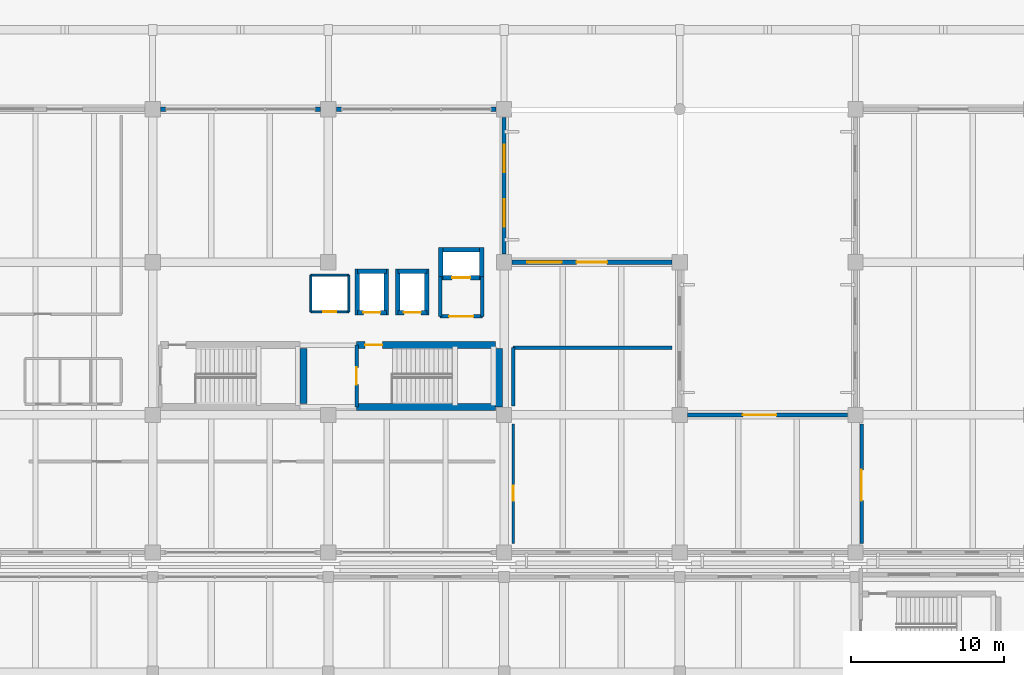
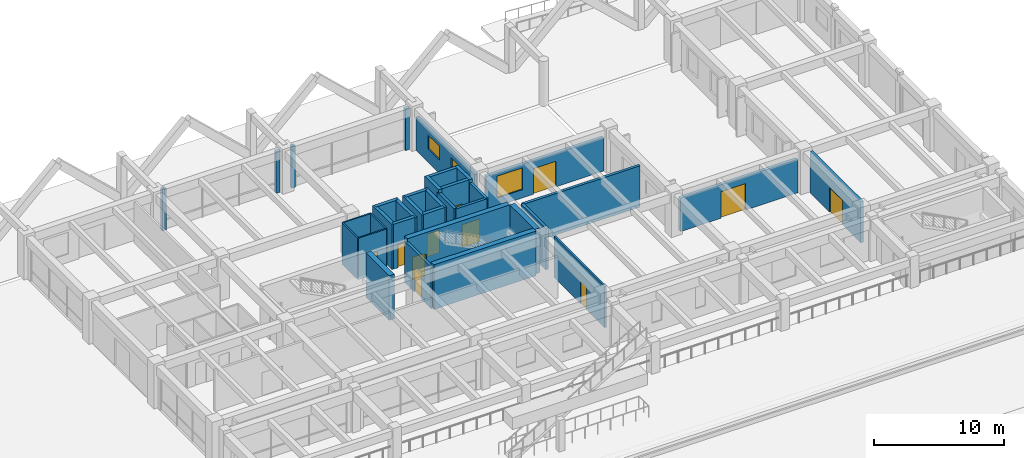
# One storey, part 91 of 109: 35 walls, 11 doors, 3 windows, 14 openings.
"""IFC4 building model written with IfcOpenShell, lengths in metres."""

from ifc_helpers import new_model, si_unit, direction, frame, frame_2d, origin, place, context, subcontext, project, spatial, rectangle, extrude, material, layer, layer_set, type_object, element, fill, save


model = new_model("IFC4")

# Units and contexts
model_context = context("Model", 3, precision=1e-05, world=origin(), true_north=direction((0.0, 1.0)))
body_context = subcontext(model_context, "Body", "Model", "MODEL_VIEW")
ifc_project = project(units=[si_unit("LENGTHUNIT", "METRE"), si_unit("AREAUNIT", "SQUARE_METRE"), si_unit("VOLUMEUNIT", "CUBIC_METRE"), si_unit("PLANEANGLEUNIT", "RADIAN"), si_unit("MASSUNIT", "GRAM", prefix="KILO")], contexts=[model_context])

# Site, building, storey
site_placement = place(None, origin())
site = spatial("IfcSite", under=ifc_project, at=site_placement, CompositionType="ELEMENT")
building_placement = place(site_placement, origin())
building = spatial("IfcBuilding", under=site, at=building_placement, Name="Ologun Quay Terminus", CompositionType="ELEMENT")
storey_placement = place(building_placement, origin())
storey = spatial("IfcBuildingStorey", under=building, at=storey_placement, Name="L00", CompositionType="ELEMENT", Elevation=0.0)

# Walls
ifc_material_1 = material(Name="Concrete C45/55", Category="concrete")
ifc_layer_1 = layer(ifc_material_1, 0.449951171875)
ifc_layer_set_1 = layer_set([ifc_layer_1], Name="Concrete C45/55")
wall_type_1 = type_object("IfcWallType", Name="Coupled Wing Primary Core Shear Wall 450", PredefinedType="SHEAR", material=ifc_layer_set_1)
wall_1_placement = place(storey_placement, frame((136.375, 95.550048828125, 0.0), z_axis=(0.0, 0.0, 1.0), x_axis=(0.0, 1.0, 0.0)))
element("IfcWall", 1, at=wall_1_placement, inside=storey, type_object=wall_type_1, Name="EC1 Core East Shear Wall L00", PredefinedType="SHEAR", context=body_context, shape_type="SweptSolid", body=[
    extrude(rectangle(XDim=3.599853515625, YDim=0.449951171875, at=frame_2d((1.7998046875, 0.0))), origin(), (0.0, 0.0, 1.0), 4.199951171875),
])
wall_2_placement = place(storey_placement, frame((139.85009765625, 95.324951171875, 0.0), z_axis=(0.0, 0.0, 1.0), x_axis=(1.0, 0.0, 0.0)))
element("IfcWall", 2, at=wall_2_placement, inside=storey, type_object=wall_type_1, Name="EC2 Core South Shear Wall L00", PredefinedType="SHEAR", context=body_context, shape_type="SweptSolid", body=[
    extrude(rectangle(XDim=9.099853515625, YDim=0.449951171875, at=frame_2d((4.5498046875, 0.0))), origin(), (0.0, 0.0, 1.0), 4.199951171875),
])

# Wall, opening, door
wall_3_placement = place(storey_placement, frame((139.85009765625, 99.375, 0.0), z_axis=(0.0, 0.0, 1.0), x_axis=(1.0, 0.0, 0.0)))
wall_3 = element("IfcWall", 3, at=wall_3_placement, inside=storey, type_object=wall_type_1, Name="EC2 Core North Shear Wall L00", PredefinedType="SHEAR", context=body_context, shape_type="SweptSolid", body=[
    extrude(rectangle(XDim=9.099853515625, YDim=0.449951171875, at=frame_2d((4.5498046875, 0.0))), origin(), (0.0, 0.0, 1.0), 4.199951171875),
])
opening_1_placement = place(wall_3_placement, frame((0.550048828125, 0.0, 0.0)))
opening_1 = element("IfcOpeningElement", 4, at=opening_1_placement, cuts=wall_3, Name="Opening ID-168", PredefinedType="OPENING", context=body_context, shape_type="SweptSolid", body=[
    extrude(rectangle(XDim=1.1298828125, YDim=2.14990234375, at=frame_2d((0.56494140625, 1.074951171875))), frame((0.0, 0.23486328125, 0.0), z_axis=(0.0, -1.0, 0.0), x_axis=(1.0, 0.0, 0.0)), (0.0, 0.0, 1.0), 0.469970703125),
])
ifc_material_2 = material(Name="Steel S355", Category="steel")
door_type_1 = type_object("IfcDoorType", Name="Stairwell Fire Escape Door 1130x2150", OperationType="SINGLE_SWING_LEFT", PredefinedType="DOOR", material=ifc_material_2)
door_1_placement = place(opening_1_placement, origin())
door_1 = element("IfcDoor", 5, at=door_1_placement, inside=storey, type_object=door_type_1, Name="FD-01 Door ID-168", OperationType="SINGLE_SWING_LEFT", OverallHeight=2.14990234375, OverallWidth=1.1298828125, PredefinedType="DOOR", context=body_context, shape_type="SweptSolid", body=[
    extrude(rectangle(XDim=1.1298828125, YDim=2.14990234375, at=frame_2d((0.56494140625, 1.074951171875))), frame((0.0, 0.02490234375, 0.0), z_axis=(0.0, -1.0, 0.0), x_axis=(1.0, 0.0, 0.0)), (0.0, 0.0, 1.0), 0.050048828125),
])
fill(opening_1, door_1)

# Wall
wall_4_placement = place(storey_placement, frame((149.175048828125, 95.320068359375, 0.0), z_axis=(0.0, 0.0, 1.0), x_axis=(0.0, 1.0, 0.0)))
element("IfcWall", 6, at=wall_4_placement, inside=storey, type_object=wall_type_1, Name="EC2 Core East Shear Wall L00", PredefinedType="SHEAR", context=body_context, shape_type="SweptSolid", body=[
    extrude(rectangle(XDim=3.829833984375, YDim=0.449951171875, at=frame_2d((1.9150390625, 0.0))), origin(), (0.0, 0.0, 1.0), 4.199951171875),
])

# Wall, opening, door
ifc_material_3 = material(Name="Concrete C40/50", Category="concrete")
ifc_layer_2 = layer(ifc_material_3, 0.280029296875)
ifc_layer_set_2 = layer_set([ifc_layer_2], Name="Concrete C40/50")
wall_type_2 = type_object("IfcWallType", Name="Courtyard Wing Spandrel Concrete Wall 280", PredefinedType="SOLIDWALL", material=ifc_layer_set_2)
wall_5_placement = place(storey_placement, frame((161.52001953125, 94.800048828125, 0.0), z_axis=(0.0, 0.0, 1.0), x_axis=(1.0, 0.0, 0.0)))
wall_5 = element("IfcWall", 7, at=wall_5_placement, inside=storey, type_object=wall_type_2, Name="EW-02 Facade Wall WEW-EW-L00-13", PredefinedType="SOLIDWALL", context=body_context, shape_type="SweptSolid", body=[
    extrude(rectangle(XDim=10.4599609375, YDim=0.280029296875, at=frame_2d((5.22998046875, 0.0))), origin(), (0.0, 0.0, 1.0), 3.14990234375),
])
opening_2_placement = place(wall_5_placement, frame((3.60693359375, 0.0, 0.0)))
opening_2 = element("IfcOpeningElement", 8, at=opening_2_placement, cuts=wall_5, Name="Opening ED-024", PredefinedType="OPENING", context=body_context, shape_type="SweptSolid", body=[
    extrude(rectangle(XDim=2.199951171875, YDim=2.5, at=frame_2d((1.10009765625, 1.25))), frame((0.0, 0.14990234375, 0.0), z_axis=(0.0, -1.0, 0.0), x_axis=(1.0, 0.0, 0.0)), (0.0, 0.0, 1.0), 0.300048828125),
])
ifc_material_4 = material(Name="Steel S355", Category="steel")
door_type_2 = type_object("IfcDoorType", Name="Substation Exterior Louvred Pair 2200x2500", OperationType="DOUBLE_DOOR_SINGLE_SWING", PredefinedType="DOOR", material=ifc_material_4)
door_2_placement = place(opening_2_placement, origin())
door_2 = element("IfcDoor", 9, at=door_2_placement, inside=storey, type_object=door_type_2, Name="D-07 Exterior Door ED-024", OperationType="DOUBLE_DOOR_SINGLE_SWING", OverallHeight=2.5, OverallWidth=2.199951171875, PredefinedType="DOOR", context=body_context, shape_type="SweptSolid", body=[
    extrude(rectangle(XDim=2.199951171875, YDim=2.5, at=frame_2d((1.10009765625, 1.25))), frame((0.0, 0.02490234375, 0.0), z_axis=(0.0, -1.0, 0.0), x_axis=(1.0, 0.0, 0.0)), (0.0, 0.0, 1.0), 0.050048828125),
])
fill(opening_2, door_2)

# Wall, openings, window, door
wall_6_placement = place(storey_placement, frame((150.02001953125, 104.800048828125, 0.0), z_axis=(0.0, 0.0, 1.0), x_axis=(1.0, 0.0, 0.0)))
wall_6 = element("IfcWall", 10, at=wall_6_placement, inside=storey, type_object=wall_type_2, Name="EW-02 Facade Wall WEW-EW-L00-15", PredefinedType="SOLIDWALL", context=body_context, shape_type="SweptSolid", body=[
    extrude(rectangle(XDim=10.4599609375, YDim=0.280029296875, at=frame_2d((5.22998046875, 0.0))), origin(), (0.0, 0.0, 1.0), 3.14990234375),
])
opening_3_placement = place(wall_6_placement, frame((4.22998046875, 0.0, 0.0)))
opening_3 = element("IfcOpeningElement", 11, at=opening_3_placement, cuts=wall_6, Name="Opening ED-025", PredefinedType="OPENING", context=body_context, shape_type="SweptSolid", body=[
    extrude(rectangle(XDim=2.0, YDim=2.39990234375, at=frame_2d((1.0, 1.199951171875))), frame((0.0, 0.14990234375, 0.0), z_axis=(0.0, -1.0, 0.0), x_axis=(1.0, 0.0, 0.0)), (0.0, 0.0, 1.0), 0.300048828125),
])
opening_4_placement = place(wall_6_placement, frame((0.989990234375, 0.0, 0.780029296875)))
opening_4 = element("IfcOpeningElement", 12, at=opening_4_placement, cuts=wall_6, Name="Opening WN-352", PredefinedType="OPENING", context=body_context, shape_type="SweptSolid", body=[
    extrude(rectangle(XDim=2.25, YDim=2.050048828125, at=frame_2d((1.125, 1.02490234375))), frame((0.0, 0.14990234375, 0.0), z_axis=(0.0, -1.0, 0.0), x_axis=(1.0, 0.0, 0.0)), (0.0, 0.0, 1.0), 0.300048828125),
])
ifc_material_5 = material(Name="Glass", Category="glass")
window_type_1 = type_object("IfcWindowType", Name="Operations Reception Window 2250x2050", PartitioningType="SINGLE_PANEL", PredefinedType="WINDOW", material=ifc_material_5)
window_1_placement = place(opening_4_placement, origin())
window_1 = element("IfcWindow", 13, at=window_1_placement, inside=storey, type_object=window_type_1, Name="W-36 Window WN-352", OverallHeight=2.050048828125, OverallWidth=2.25, PartitioningType="SINGLE_PANEL", PredefinedType="WINDOW", context=body_context, shape_type="SweptSolid", body=[
    extrude(rectangle(XDim=2.25, YDim=2.050048828125, at=frame_2d((1.125, 1.02490234375))), frame((0.0, 0.030029296875, 0.0), z_axis=(0.0, -1.0, 0.0), x_axis=(1.0, 0.0, 0.0)), (0.0, 0.0, 1.0), 0.06005859375),
])
fill(opening_4, window_1)
ifc_material_6 = material(Name="Glass", Category="glass")
door_type_3 = type_object("IfcDoorType", Name="Promenade Retail Entrance Double Door 2000x2400", OperationType="DOUBLE_DOOR_SINGLE_SWING", PredefinedType="DOOR", material=ifc_material_6)
door_3_placement = place(opening_3_placement, origin())
door_3 = element("IfcDoor", 14, at=door_3_placement, inside=storey, type_object=door_type_3, Name="D-02 Exterior Door ED-025", OperationType="DOUBLE_DOOR_SINGLE_SWING", OverallHeight=2.39990234375, OverallWidth=2.0, PredefinedType="DOOR", context=body_context, shape_type="SweptSolid", body=[
    extrude(rectangle(XDim=2.0, YDim=2.39990234375, at=frame_2d((1.0, 1.199951171875))), frame((0.0, 0.02490234375, 0.0), z_axis=(0.0, -1.0, 0.0), x_axis=(1.0, 0.0, 0.0)), (0.0, 0.0, 1.0), 0.050048828125),
])
fill(opening_3, door_3)

# Wall, openings, windows
wall_7_placement = place(storey_placement, frame((149.5, 105.320068359375, 0.0), z_axis=(0.0, 0.0, 1.0), x_axis=(0.0, 1.0, 0.0)))
wall_7 = element("IfcWall", 15, at=wall_7_placement, inside=storey, type_object=wall_type_2, Name="EW-02 Facade Wall WEW-EW-L00-16", PredefinedType="SOLIDWALL", context=body_context, shape_type="SweptSolid", body=[
    extrude(rectangle(XDim=8.9599609375, YDim=0.280029296875, at=frame_2d((4.47998046875, 0.0))), origin(), (0.0, 0.0, 1.0), 3.14990234375),
])
opening_5_placement = place(wall_7_placement, frame((1.78662109375, 0.0, 1.25)))
opening_5 = element("IfcOpeningElement", 16, at=opening_5_placement, cuts=wall_7, Name="Opening WN-353", PredefinedType="OPENING", context=body_context, shape_type="SweptSolid", body=[
    extrude(rectangle(XDim=1.800048828125, YDim=1.300048828125, at=frame_2d((0.89990234375, 0.64990234375))), frame((0.0, 0.14990234375, 0.0), z_axis=(0.0, -1.0, 0.0), x_axis=(1.0, 0.0, 0.0)), (0.0, 0.0, 1.0), 0.300048828125),
])
opening_6_placement = place(wall_7_placement, frame((5.373291015625, 0.0, 1.25)))
opening_6 = element("IfcOpeningElement", 17, at=opening_6_placement, cuts=wall_7, Name="Opening WN-354", PredefinedType="OPENING", context=body_context, shape_type="SweptSolid", body=[
    extrude(rectangle(XDim=1.800048828125, YDim=1.300048828125, at=frame_2d((0.89990234375, 0.64990234375))), frame((0.0, 0.14990234375, 0.0), z_axis=(0.0, -1.0, 0.0), x_axis=(1.0, 0.0, 0.0)), (0.0, 0.0, 1.0), 0.300048828125),
])
ifc_material_7 = material(Name="Glass", Category="glass")
window_type_2 = type_object("IfcWindowType", Name="Plant Louvred Acoustic Window 1800x1300", PartitioningType="SINGLE_PANEL", PredefinedType="WINDOW", material=ifc_material_7)
window_2_placement = place(opening_5_placement, origin())
window_2 = element("IfcWindow", 18, at=window_2_placement, inside=storey, type_object=window_type_2, Name="W-38 Window WN-353", OverallHeight=1.300048828125, OverallWidth=1.800048828125, PartitioningType="SINGLE_PANEL", PredefinedType="WINDOW", context=body_context, shape_type="SweptSolid", body=[
    extrude(rectangle(XDim=1.800048828125, YDim=1.300048828125, at=frame_2d((0.89990234375, 0.64990234375))), frame((0.0, 0.030029296875, 0.0), z_axis=(0.0, -1.0, 0.0), x_axis=(1.0, 0.0, 0.0)), (0.0, 0.0, 1.0), 0.06005859375),
])
fill(opening_5, window_2)
window_3_placement = place(opening_6_placement, origin())
window_3 = element("IfcWindow", 19, at=window_3_placement, inside=storey, type_object=window_type_2, Name="W-38 Window WN-354", OverallHeight=1.300048828125, OverallWidth=1.800048828125, PartitioningType="SINGLE_PANEL", PredefinedType="WINDOW", context=body_context, shape_type="SweptSolid", body=[
    extrude(rectangle(XDim=1.800048828125, YDim=1.300048828125, at=frame_2d((0.89990234375, 0.64990234375))), frame((0.0, 0.030029296875, 0.0), z_axis=(0.0, -1.0, 0.0), x_axis=(1.0, 0.0, 0.0)), (0.0, 0.0, 1.0), 0.06005859375),
])
fill(opening_6, window_3)

# Walls
for number, where, z_axis, x_axis, name in (
    (20, (127.02001953125, 114.800048828125, 0.0), (0.0, 0.0, 1.0), (1.0, 0.0, 0.0), "Curtain Wall Jamb Pier CW-L00-120-J1"),
    (21, (137.1298828125, 114.800048828125, 0.0), (0.0, 0.0, 1.0), (1.0, 0.0, 0.0), "Curtain Wall Jamb Pier CW-L00-120-J2"),
    (22, (138.52001953125, 114.800048828125, 0.0), (0.0, 0.0, 1.0), (1.0, 0.0, 0.0), "Curtain Wall Jamb Pier CW-L00-121-J1"),
    (23, (148.6298828125, 114.800048828125, 0.0), (0.0, 0.0, 1.0), (1.0, 0.0, 0.0), "Curtain Wall Jamb Pier CW-L00-121-J2"),
):
    element("IfcWall", number, at=place(storey_placement, frame(where, z_axis=z_axis, x_axis=x_axis)), inside=storey, type_object=wall_type_2, Name=name, PredefinedType="SOLIDWALL", context=body_context, shape_type="SweptSolid", body=[
        extrude(rectangle(XDim=0.35009765625, YDim=0.280029296875, at=frame_2d((0.175048828125, 0.0))), origin(), (0.0, 0.0, 1.0), 3.929931640625),
    ])

# Wall, opening, door
ifc_material_8 = material(Name="Concrete C40/50", Category="concrete")
ifc_layer_3 = layer(ifc_material_8, 0.239990234375)
ifc_layer_set_3 = layer_set([ifc_layer_3], Name="Concrete C40/50")
wall_type_3 = type_object("IfcWallType", Name="Fire Compartment Blockwork Wall 240", PredefinedType="SOLIDWALL", material=ifc_layer_set_3)
wall_8_placement = place(storey_placement, frame((139.85009765625, 95.330078125, 0.0), z_axis=(0.0, 0.0, 1.0), x_axis=(0.0, 1.0, 0.0)))
wall_8 = element("IfcWall", 24, at=wall_8_placement, inside=storey, type_object=wall_type_3, Name="PW-01 Partition EStair2-W", PredefinedType="SOLIDWALL", context=body_context, shape_type="SweptSolid", body=[
    extrude(rectangle(XDim=4.0400390625, YDim=0.239990234375, at=frame_2d((2.02001953125, 0.0))), origin(), (0.0, 0.0, 1.0), 3.8798828125),
])
opening_7_placement = place(wall_8_placement, frame((1.449951171875, 0.0, 0.0)))
opening_7 = element("IfcOpeningElement", 25, at=opening_7_placement, cuts=wall_8, Name="Opening ID-167", PredefinedType="OPENING", context=body_context, shape_type="SweptSolid", body=[
    extrude(rectangle(XDim=1.1298828125, YDim=2.14990234375, at=frame_2d((0.56494140625, 1.074951171875))), frame((0.0, 0.1298828125, 0.0), z_axis=(0.0, -1.0, 0.0), x_axis=(1.0, 0.0, 0.0)), (0.0, 0.0, 1.0), 0.260009765625),
])
door_4_placement = place(opening_7_placement, origin())
door_4 = element("IfcDoor", 26, at=door_4_placement, inside=storey, type_object=door_type_1, Name="FD-01 Door ID-167", OperationType="SINGLE_SWING_LEFT", OverallHeight=2.14990234375, OverallWidth=1.1298828125, PredefinedType="DOOR", context=body_context, shape_type="SweptSolid", body=[
    extrude(rectangle(XDim=1.1298828125, YDim=2.14990234375, at=frame_2d((0.56494140625, 1.074951171875))), frame((0.0, 0.02490234375, 0.0), z_axis=(0.0, -1.0, 0.0), x_axis=(1.0, 0.0, 0.0)), (0.0, 0.0, 1.0), 0.050048828125),
])
fill(opening_7, door_4)

wall_9_placement = place(storey_placement, frame((145.320068359375, 101.25, 0.0), z_axis=(0.0, 0.0, 1.0), x_axis=(1.0, 0.0, 0.0)))
wall_9 = element("IfcWall", 27, at=wall_9_placement, inside=storey, type_object=wall_type_3, Name="PW-01 Partition EFFL-S", PredefinedType="SOLIDWALL", context=body_context, shape_type="SweptSolid", body=[
    extrude(rectangle(XDim=2.760009765625, YDim=0.239990234375, at=frame_2d((1.3798828125, 0.0))), origin(), (0.0, 0.0, 1.0), 3.8798828125),
])
opening_8_placement = place(wall_9_placement, frame((0.580078125, 0.0, 0.0)))
opening_8 = element("IfcOpeningElement", 28, at=opening_8_placement, cuts=wall_9, Name="Opening ID-169", PredefinedType="OPENING", context=body_context, shape_type="SweptSolid", body=[
    extrude(rectangle(XDim=1.60009765625, YDim=2.14990234375, at=frame_2d((0.800048828125, 1.074951171875))), frame((0.0, 0.1298828125, 0.0), z_axis=(0.0, -1.0, 0.0), x_axis=(1.0, 0.0, 0.0)), (0.0, 0.0, 1.0), 0.260009765625),
])
ifc_material_9 = material(Name="Steel S355", Category="steel")
door_type_4 = type_object("IfcDoorType", Name="Firefighting Lobby Double Smoke Door 1600x2150", OperationType="DOUBLE_DOOR_SINGLE_SWING", PredefinedType="DOOR", material=ifc_material_9)
door_5_placement = place(opening_8_placement, origin())
door_5 = element("IfcDoor", 29, at=door_5_placement, inside=storey, type_object=door_type_4, Name="FD-02 Door ID-169", OperationType="DOUBLE_DOOR_SINGLE_SWING", OverallHeight=2.14990234375, OverallWidth=1.60009765625, PredefinedType="DOOR", context=body_context, shape_type="SweptSolid", body=[
    extrude(rectangle(XDim=1.60009765625, YDim=2.14990234375, at=frame_2d((0.800048828125, 1.074951171875))), frame((0.0, 0.02490234375, 0.0), z_axis=(0.0, -1.0, 0.0), x_axis=(1.0, 0.0, 0.0)), (0.0, 0.0, 1.0), 0.050048828125),
])
fill(opening_8, door_5)

# Walls
for number, where, z_axis, x_axis, name in (
    (30, (145.320068359375, 101.25, 0.0), (0.0, 0.0, 1.0), (0.0, 1.0, 0.0), "PW-01 Partition EFFL-W"),
    (31, (148.080078125, 101.25, 0.0), (0.0, 0.0, 1.0), (0.0, 1.0, 0.0), "PW-01 Partition EFFL-E"),
):
    element("IfcWall", number, at=place(storey_placement, frame(where, z_axis=z_axis, x_axis=x_axis)), inside=storey, type_object=wall_type_3, Name=name, PredefinedType="SOLIDWALL", context=body_context, shape_type="SweptSolid", body=[
        extrude(rectangle(XDim=2.60009765625, YDim=0.239990234375, at=frame_2d((1.300048828125, 0.0))), origin(), (0.0, 0.0, 1.0), 3.8798828125),
    ])

# Wall, opening, door
wall_10_placement = place(storey_placement, frame((172.89990234375, 86.39990234375, 0.0), z_axis=(0.0, 0.0, 1.0), x_axis=(0.0, 1.0, 0.0)))
wall_10 = element("IfcWall", 32, at=wall_10_placement, inside=storey, type_object=wall_type_3, Name="PW-01 Partition L00-LoadingBay-W", PredefinedType="SOLIDWALL", context=body_context, shape_type="SweptSolid", body=[
    extrude(rectangle(XDim=7.800048828125, YDim=0.239990234375, at=frame_2d((3.89990234375, 0.0))), origin(), (0.0, 0.0, 1.0), 3.8798828125),
])
opening_9_placement = place(wall_10_placement, frame((2.800048828125, 0.0, 0.0)))
opening_9 = element("IfcOpeningElement", 33, at=opening_9_placement, cuts=wall_10, Name="Opening ID-301", PredefinedType="OPENING", context=body_context, shape_type="SweptSolid", body=[
    extrude(rectangle(XDim=2.0, YDim=2.300048828125, at=frame_2d((1.0, 1.14990234375))), frame((0.0, 0.1298828125, 0.0), z_axis=(0.0, -1.0, 0.0), x_axis=(1.0, 0.0, 0.0)), (0.0, 0.0, 1.0), 0.260009765625),
])
ifc_material_10 = material(Name="Steel S355", Category="steel")
door_type_5 = type_object("IfcDoorType", Name="Plant Room Heavy Fire Pair 2000x2300", OperationType="DOUBLE_DOOR_SINGLE_SWING", PredefinedType="DOOR", material=ifc_material_10)
door_6_placement = place(opening_9_placement, origin())
door_6 = element("IfcDoor", 34, at=door_6_placement, inside=storey, type_object=door_type_5, Name="FD-04 Door ID-301", OperationType="DOUBLE_DOOR_SINGLE_SWING", OverallHeight=2.300048828125, OverallWidth=2.0, PredefinedType="DOOR", context=body_context, shape_type="SweptSolid", body=[
    extrude(rectangle(XDim=2.0, YDim=2.300048828125, at=frame_2d((1.0, 1.14990234375))), frame((0.0, 0.02490234375, 0.0), z_axis=(0.0, -1.0, 0.0), x_axis=(1.0, 0.0, 0.0)), (0.0, 0.0, 1.0), 0.050048828125),
])
fill(opening_9, door_6)

# Walls
wall_11_placement = place(storey_placement, frame((150.10009765625, 95.39990234375, 0.0), z_axis=(0.0, 0.0, 1.0), x_axis=(0.0, 1.0, 0.0)))
element("IfcWall", 35, at=wall_11_placement, inside=storey, type_object=wall_type_3, Name="PW-01 Partition L00-Commissary-WN", PredefinedType="SOLIDWALL", context=body_context, shape_type="SweptSolid", body=[
    extrude(rectangle(XDim=3.800048828125, YDim=0.239990234375, at=frame_2d((1.89990234375, 0.0))), origin(), (0.0, 0.0, 1.0), 3.8798828125),
])
wall_12_placement = place(storey_placement, frame((150.10009765625, 99.199951171875, 0.0), z_axis=(0.0, 0.0, 1.0), x_axis=(1.0, 0.0, 0.0)))
element("IfcWall", 36, at=wall_12_placement, inside=storey, type_object=wall_type_3, Name="PW-01 Partition L00-Commissary-N", PredefinedType="SOLIDWALL", context=body_context, shape_type="SweptSolid", body=[
    extrude(rectangle(XDim=10.39990234375, YDim=0.239990234375, at=frame_2d((5.199951171875, 0.0))), origin(), (0.0, 0.0, 1.0), 3.8798828125),
])

# Wall, opening, door
ifc_material_11 = material(Name="Concrete C40/50", Category="concrete")
ifc_layer_4 = layer(ifc_material_11, 0.300048828125)
ifc_layer_set_4 = layer_set([ifc_layer_4], Name="Concrete C40/50")
wall_type_4 = type_object("IfcWallType", Name="Lift Shaft Structural Shear Wall 300", PredefinedType="SHEAR", material=ifc_layer_set_4)
wall_13_placement = place(storey_placement, frame((145.35009765625, 103.780029296875, 0.0), z_axis=(0.0, 0.0, 1.0), x_axis=(1.0, 0.0, 0.0)))
wall_13 = element("IfcWall", 37, at=wall_13_placement, inside=storey, type_object=wall_type_4, Name="Lift FFL-02 Shaft Wall S L00", PredefinedType="SHEAR", context=body_context, shape_type="SweptSolid", body=[
    extrude(rectangle(XDim=2.699951171875, YDim=0.300048828125, at=frame_2d((1.35009765625, 0.0))), origin(), (0.0, 0.0, 1.0), 4.199951171875),
])
opening_10_placement = place(wall_13_placement, frame((0.75, 0.0, 0.0)))
opening_10 = element("IfcOpeningElement", 38, at=opening_10_placement, cuts=wall_13, Name="Opening ID-010", PredefinedType="OPENING", context=body_context, shape_type="SweptSolid", body=[
    extrude(rectangle(XDim=1.199951171875, YDim=2.14990234375, at=frame_2d((0.60009765625, 1.074951171875))), frame((0.0, 0.16015625, 0.0), z_axis=(0.0, -1.0, 0.0), x_axis=(1.0, 0.0, 0.0)), (0.0, 0.0, 1.0), 0.320068359375),
])
ifc_material_12 = material(Name="Steel S355", Category="steel")
door_type_6 = type_object("IfcDoorType", Name="Firefighting Lift Landing Sliding Door 1200x2150", OperationType="SLIDING_TO_RIGHT", PredefinedType="DOOR", material=ifc_material_12)
door_7_placement = place(opening_10_placement, origin())
door_7 = element("IfcDoor", 39, at=door_7_placement, inside=storey, type_object=door_type_6, Name="LD-02 Door ID-010", OperationType="SLIDING_TO_RIGHT", OverallHeight=2.14990234375, OverallWidth=1.199951171875, PredefinedType="DOOR", context=body_context, shape_type="SweptSolid", body=[
    extrude(rectangle(XDim=1.199951171875, YDim=2.14990234375, at=frame_2d((0.60009765625, 1.074951171875))), frame((0.0, 0.02490234375, 0.0), z_axis=(0.0, -1.0, 0.0), x_axis=(1.0, 0.0, 0.0)), (0.0, 0.0, 1.0), 0.050048828125),
])
fill(opening_10, door_7)

# Walls
wall_14_placement = place(storey_placement, frame((145.35009765625, 105.6201171875, 0.0), z_axis=(0.0, 0.0, 1.0), x_axis=(1.0, 0.0, 0.0)))
element("IfcWall", 40, at=wall_14_placement, inside=storey, type_object=wall_type_4, Name="Lift FFL-02 Shaft Wall N L00", PredefinedType="SHEAR", context=body_context, shape_type="SweptSolid", body=[
    extrude(rectangle(XDim=2.699951171875, YDim=0.300048828125, at=frame_2d((1.35009765625, 0.0))), origin(), (0.0, 0.0, 1.0), 4.199951171875),
])
for number, where, z_axis, x_axis, name in (
    (41, (145.35009765625, 103.6298828125, 0.0), (0.0, 0.0, 1.0), (0.0, 1.0, 0.0), "Lift FFL-02 Shaft Wall W L00"),
    (42, (148.050048828125, 103.6298828125, 0.0), (0.0, 0.0, 1.0), (0.0, 1.0, 0.0), "Lift FFL-02 Shaft Wall E L00"),
):
    element("IfcWall", number, at=place(storey_placement, frame(where, z_axis=z_axis, x_axis=x_axis)), inside=storey, type_object=wall_type_4, Name=name, PredefinedType="SHEAR", context=body_context, shape_type="SweptSolid", body=[
        extrude(rectangle(XDim=2.14013671875, YDim=0.300048828125, at=frame_2d((1.070068359375, 0.0))), origin(), (0.0, 0.0, 1.0), 4.199951171875),
    ])

# Wall, opening, door
wall_15_placement = place(storey_placement, frame((139.89990234375, 101.5, 0.0), z_axis=(0.0, 0.0, 1.0), x_axis=(1.0, 0.0, 0.0)))
wall_15 = element("IfcWall", 43, at=wall_15_placement, inside=storey, type_object=wall_type_4, Name="Lift PL-E1 Shaft Wall S L00", PredefinedType="SHEAR", context=body_context, shape_type="SweptSolid", body=[
    extrude(rectangle(XDim=1.900146484375, YDim=0.300048828125, at=frame_2d((0.9501953125, 0.0))), origin(), (0.0, 0.0, 1.0), 4.199951171875),
])
opening_11_placement = place(wall_15_placement, frame((0.39990234375, 0.0, 0.0)))
opening_11 = element("IfcOpeningElement", 44, at=opening_11_placement, cuts=wall_15, Name="Opening ID-032", PredefinedType="OPENING", context=body_context, shape_type="SweptSolid", body=[
    extrude(rectangle(XDim=1.10009765625, YDim=2.14990234375, at=frame_2d((0.550048828125, 1.074951171875))), frame((0.0, 0.16015625, 0.0), z_axis=(0.0, -1.0, 0.0), x_axis=(1.0, 0.0, 0.0)), (0.0, 0.0, 1.0), 0.320068359375),
])
ifc_material_13 = material(Name="Steel S355", Category="steel")
door_type_7 = type_object("IfcDoorType", Name="Lift Landing Sliding Door 1100x2150", OperationType="SLIDING_TO_LEFT", PredefinedType="DOOR", material=ifc_material_13)
door_8_placement = place(opening_11_placement, origin())
door_8 = element("IfcDoor", 45, at=door_8_placement, inside=storey, type_object=door_type_7, Name="LD-01 Door ID-032", OperationType="SLIDING_TO_LEFT", OverallHeight=2.14990234375, OverallWidth=1.10009765625, PredefinedType="DOOR", context=body_context, shape_type="SweptSolid", body=[
    extrude(rectangle(XDim=1.10009765625, YDim=2.14990234375, at=frame_2d((0.550048828125, 1.074951171875))), frame((0.0, 0.02490234375, 0.0), z_axis=(0.0, -1.0, 0.0), x_axis=(1.0, 0.0, 0.0)), (0.0, 0.0, 1.0), 0.050048828125),
])
fill(opening_11, door_8)

# Walls
wall_16_placement = place(storey_placement, frame((139.89990234375, 104.199951171875, 0.0), z_axis=(0.0, 0.0, 1.0), x_axis=(1.0, 0.0, 0.0)))
element("IfcWall", 46, at=wall_16_placement, inside=storey, type_object=wall_type_4, Name="Lift PL-E1 Shaft Wall N L00", PredefinedType="SHEAR", context=body_context, shape_type="SweptSolid", body=[
    extrude(rectangle(XDim=1.900146484375, YDim=0.300048828125, at=frame_2d((0.9501953125, 0.0))), origin(), (0.0, 0.0, 1.0), 4.199951171875),
])
for number, where, z_axis, x_axis, name in (
    (47, (139.89990234375, 101.35009765625, 0.0), (0.0, 0.0, 1.0), (0.0, 1.0, 0.0), "Lift PL-E1 Shaft Wall W L00"),
    (48, (141.800048828125, 101.35009765625, 0.0), (0.0, 0.0, 1.0), (0.0, 1.0, 0.0), "Lift PL-E1 Shaft Wall E L00"),
):
    element("IfcWall", number, at=place(storey_placement, frame(where, z_axis=z_axis, x_axis=x_axis)), inside=storey, type_object=wall_type_4, Name=name, PredefinedType="SHEAR", context=body_context, shape_type="SweptSolid", body=[
        extrude(rectangle(XDim=3.0, YDim=0.300048828125, at=frame_2d((1.5, 0.0))), origin(), (0.0, 0.0, 1.0), 4.199951171875),
    ])

# Wall, opening, door
wall_17_placement = place(storey_placement, frame((142.550048828125, 101.5, 0.0), z_axis=(0.0, 0.0, 1.0), x_axis=(1.0, 0.0, 0.0)))
wall_17 = element("IfcWall", 49, at=wall_17_placement, inside=storey, type_object=wall_type_4, Name="Lift PL-E2 Shaft Wall S L00", PredefinedType="SHEAR", context=body_context, shape_type="SweptSolid", body=[
    extrude(rectangle(XDim=1.89990234375, YDim=0.300048828125, at=frame_2d((0.949951171875, 0.0))), origin(), (0.0, 0.0, 1.0), 4.199951171875),
])
opening_12_placement = place(wall_17_placement, frame((0.39990234375, 0.0, 0.0)))
opening_12 = element("IfcOpeningElement", 50, at=opening_12_placement, cuts=wall_17, Name="Opening ID-040", PredefinedType="OPENING", context=body_context, shape_type="SweptSolid", body=[
    extrude(rectangle(XDim=1.10009765625, YDim=2.14990234375, at=frame_2d((0.550048828125, 1.074951171875))), frame((0.0, 0.16015625, 0.0), z_axis=(0.0, -1.0, 0.0), x_axis=(1.0, 0.0, 0.0)), (0.0, 0.0, 1.0), 0.320068359375),
])
door_9_placement = place(opening_12_placement, origin())
door_9 = element("IfcDoor", 51, at=door_9_placement, inside=storey, type_object=door_type_7, Name="LD-01 Door ID-040", OperationType="SLIDING_TO_LEFT", OverallHeight=2.14990234375, OverallWidth=1.10009765625, PredefinedType="DOOR", context=body_context, shape_type="SweptSolid", body=[
    extrude(rectangle(XDim=1.10009765625, YDim=2.14990234375, at=frame_2d((0.550048828125, 1.074951171875))), frame((0.0, 0.02490234375, 0.0), z_axis=(0.0, -1.0, 0.0), x_axis=(1.0, 0.0, 0.0)), (0.0, 0.0, 1.0), 0.050048828125),
])
fill(opening_12, door_9)

# Walls
wall_18_placement = place(storey_placement, frame((142.550048828125, 104.199951171875, 0.0), z_axis=(0.0, 0.0, 1.0), x_axis=(1.0, 0.0, 0.0)))
element("IfcWall", 52, at=wall_18_placement, inside=storey, type_object=wall_type_4, Name="Lift PL-E2 Shaft Wall N L00", PredefinedType="SHEAR", context=body_context, shape_type="SweptSolid", body=[
    extrude(rectangle(XDim=1.89990234375, YDim=0.300048828125, at=frame_2d((0.949951171875, 0.0))), origin(), (0.0, 0.0, 1.0), 4.199951171875),
])
for number, where, z_axis, x_axis, name in (
    (53, (142.550048828125, 101.35009765625, 0.0), (0.0, 0.0, 1.0), (0.0, 1.0, 0.0), "Lift PL-E2 Shaft Wall W L00"),
    (54, (144.449951171875, 101.35009765625, 0.0), (0.0, 0.0, 1.0), (0.0, 1.0, 0.0), "Lift PL-E2 Shaft Wall E L00"),
):
    element("IfcWall", number, at=place(storey_placement, frame(where, z_axis=z_axis, x_axis=x_axis)), inside=storey, type_object=wall_type_4, Name=name, PredefinedType="SHEAR", context=body_context, shape_type="SweptSolid", body=[
        extrude(rectangle(XDim=3.0, YDim=0.300048828125, at=frame_2d((1.5, 0.0))), origin(), (0.0, 0.0, 1.0), 4.199951171875),
    ])

# Wall, opening, door
ifc_material_14 = material(Name="Concrete C40/50", Category="concrete")
ifc_layer_5 = layer(ifc_material_14, 0.159912109375)
ifc_layer_set_5 = layer_set([ifc_layer_5], Name="Concrete C40/50")
wall_type_5 = type_object("IfcWallType", Name="Retail & Lounge Separation Wall 160", PredefinedType="PARTITIONING", material=ifc_layer_set_5)
wall_19_placement = place(storey_placement, frame((150.10009765625, 86.39990234375, 0.0), z_axis=(0.0, 0.0, 1.0), x_axis=(0.0, 1.0, 0.0)))
wall_19 = element("IfcWall", 55, at=wall_19_placement, inside=storey, type_object=wall_type_5, Name="PW-04 Partition L00-Commissary-W", PredefinedType="PARTITIONING", context=body_context, shape_type="SweptSolid", body=[
    extrude(rectangle(XDim=7.800048828125, YDim=0.159912109375, at=frame_2d((3.89990234375, 0.0))), origin(), (0.0, 0.0, 1.0), 3.8798828125),
])
opening_13_placement = place(wall_19_placement, frame((2.800048828125, 0.0, 0.0)))
opening_13 = element("IfcOpeningElement", 56, at=opening_13_placement, cuts=wall_19, Name="Opening ID-302", PredefinedType="OPENING", context=body_context, shape_type="SweptSolid", body=[
    extrude(rectangle(XDim=0.9599609375, YDim=2.10009765625, at=frame_2d((0.47998046875, 1.050048828125))), frame((0.0, 0.08984375, 0.0), z_axis=(0.0, -1.0, 0.0), x_axis=(1.0, 0.0, 0.0)), (0.0, 0.0, 1.0), 0.179931640625),
])
ifc_material_15 = material(Name="Timber Hardwood", Category="wood")
door_type_8 = type_object("IfcDoorType", Name="Store & Pantry Service Door 960x2100", OperationType="SINGLE_SWING_RIGHT", PredefinedType="DOOR", material=ifc_material_15)
door_10_placement = place(opening_13_placement, origin())
door_10 = element("IfcDoor", 57, at=door_10_placement, inside=storey, type_object=door_type_8, Name="ID-18 Door ID-302", OperationType="SINGLE_SWING_RIGHT", OverallHeight=2.10009765625, OverallWidth=0.9599609375, PredefinedType="DOOR", context=body_context, shape_type="SweptSolid", body=[
    extrude(rectangle(XDim=0.9599609375, YDim=2.10009765625, at=frame_2d((0.47998046875, 1.050048828125))), frame((0.0, 0.02490234375, 0.0), z_axis=(0.0, -1.0, 0.0), x_axis=(1.0, 0.0, 0.0)), (0.0, 0.0, 1.0), 0.050048828125),
])
fill(opening_13, door_10)

ifc_material_16 = material(Name="Concrete C40/50", Category="concrete")
ifc_layer_6 = layer(ifc_material_16, 0.1298828125)
ifc_layer_set_6 = layer_set([ifc_layer_6], Name="Concrete C40/50")
wall_type_6 = type_object("IfcWallType", Name="Riser & Service Duct Wall 130", PredefinedType="PLUMBINGWALL", material=ifc_layer_set_6)
wall_20_placement = place(storey_placement, frame((136.85009765625, 101.550048828125, 0.0), z_axis=(0.0, 0.0, 1.0), x_axis=(1.0, 0.0, 0.0)))
wall_20 = element("IfcWall", 58, at=wall_20_placement, inside=storey, type_object=wall_type_6, Name="PW-07 Partition ERiser-S", PredefinedType="PLUMBINGWALL", context=body_context, shape_type="SweptSolid", body=[
    extrude(rectangle(XDim=2.5, YDim=0.1298828125, at=frame_2d((1.25, 0.0))), origin(), (0.0, 0.0, 1.0), 3.8798828125),
])
opening_14_placement = place(wall_20_placement, frame((0.820068359375, 0.0, 0.0)))
opening_14 = element("IfcOpeningElement", 59, at=opening_14_placement, cuts=wall_20, Name="Opening ID-170", PredefinedType="OPENING", context=body_context, shape_type="SweptSolid", body=[
    extrude(rectangle(XDim=0.85009765625, YDim=2.0, at=frame_2d((0.425048828125, 1.0))), frame((0.0, 0.074951171875, 0.0), z_axis=(0.0, -1.0, 0.0), x_axis=(1.0, 0.0, 0.0)), (0.0, 0.0, 1.0), 0.14990234375),
])
ifc_material_17 = material(Name="Steel S355", Category="steel")
door_type_9 = type_object("IfcDoorType", Name="MEP Riser Access Trapdoor 850x2000", OperationType="SINGLE_SWING_LEFT", PredefinedType="TRAPDOOR", material=ifc_material_17)
door_11_placement = place(opening_14_placement, origin())
door_11 = element("IfcDoor", 60, at=door_11_placement, inside=storey, type_object=door_type_9, Name="RD-01 Door ID-170", OperationType="SINGLE_SWING_LEFT", OverallHeight=2.0, OverallWidth=0.85009765625, PredefinedType="TRAPDOOR", context=body_context, shape_type="SweptSolid", body=[
    extrude(rectangle(XDim=0.85009765625, YDim=2.0, at=frame_2d((0.425048828125, 1.0))), frame((0.0, 0.02490234375, 0.0), z_axis=(0.0, -1.0, 0.0), x_axis=(1.0, 0.0, 0.0)), (0.0, 0.0, 1.0), 0.050048828125),
])
fill(opening_14, door_11)

# Walls
for number, where, z_axis, x_axis, name in (
    (61, (136.85009765625, 101.550048828125, 0.0), (0.0, 0.0, 1.0), (0.0, 1.0, 0.0), "PW-07 Partition ERiser-W"),
    (62, (139.35009765625, 101.550048828125, 0.0), (0.0, 0.0, 1.0), (0.0, 1.0, 0.0), "PW-07 Partition ERiser-E"),
):
    element("IfcWall", number, at=place(storey_placement, frame(where, z_axis=z_axis, x_axis=x_axis)), inside=storey, type_object=wall_type_6, Name=name, PredefinedType="PLUMBINGWALL", context=body_context, shape_type="SweptSolid", body=[
        extrude(rectangle(XDim=2.39990234375, YDim=0.1298828125, at=frame_2d((1.199951171875, 0.0))), origin(), (0.0, 0.0, 1.0), 3.8798828125),
    ])
wall_21_placement = place(storey_placement, frame((136.85009765625, 103.949951171875, 0.0), z_axis=(0.0, 0.0, 1.0), x_axis=(1.0, 0.0, 0.0)))
element("IfcWall", 63, at=wall_21_placement, inside=storey, type_object=wall_type_6, Name="PW-07 Partition ERiser-N", PredefinedType="PLUMBINGWALL", context=body_context, shape_type="SweptSolid", body=[
    extrude(rectangle(XDim=2.5, YDim=0.1298828125, at=frame_2d((1.25, 0.0))), origin(), (0.0, 0.0, 1.0), 3.8798828125),
])

save(model, "model.ifc")
